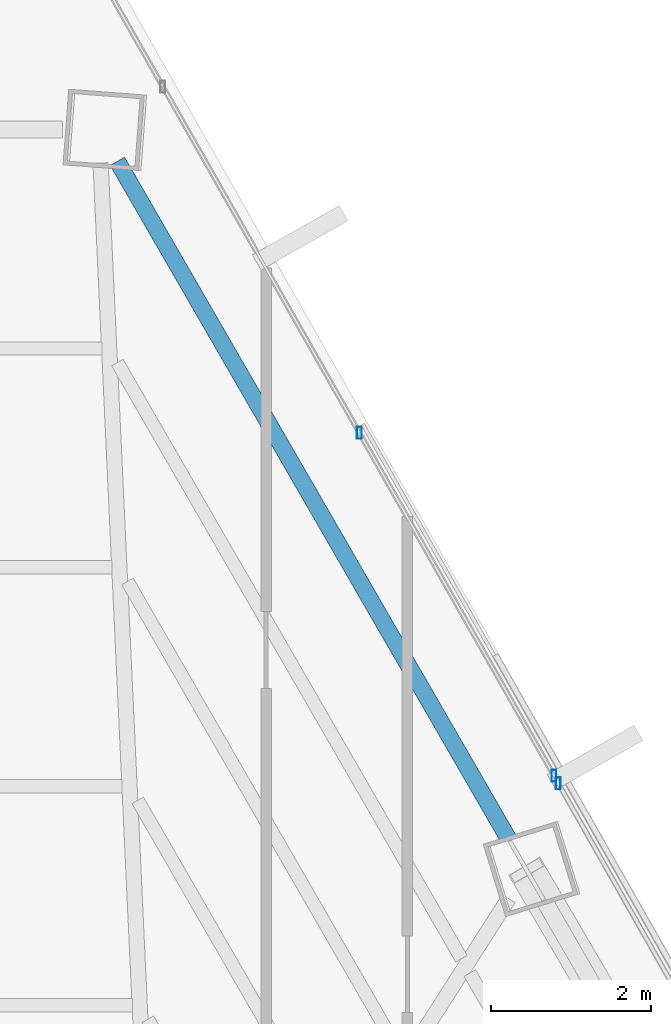
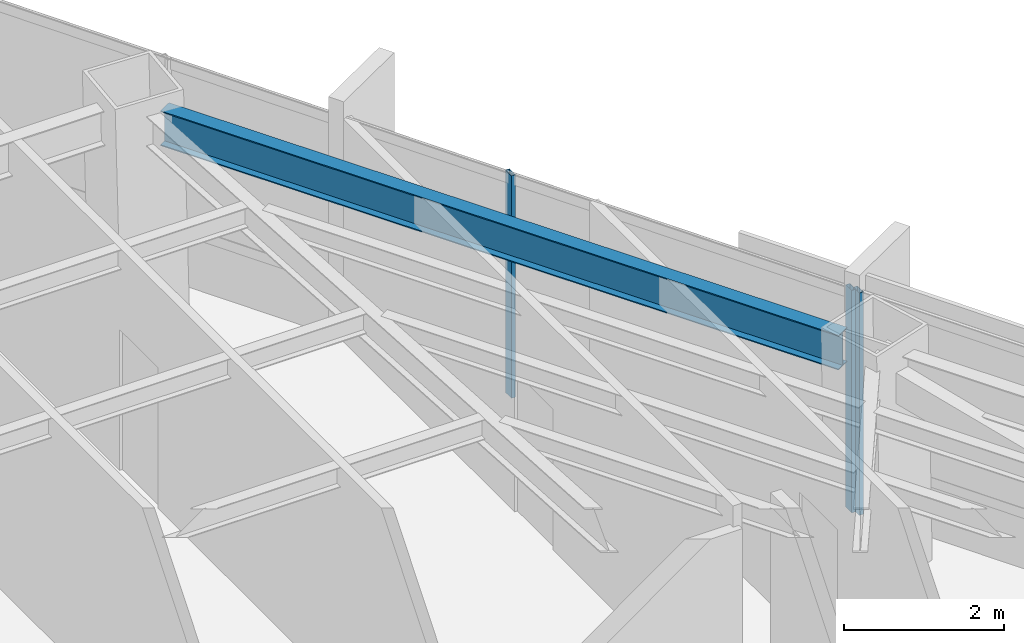
# One storey, part 32 of 42: 3 members, 1 beam, 2 elements without a shape of their own.
"""IFC4 building model written with IfcOpenShell, lengths in metres."""

from ifc_helpers import new_model, si_unit, direction, frame, origin, origin_2d, place, context, subcontext, project, spatial, hollow_rectangle, i_section, extrude, source, transform, mapped, material, material_profile, profile_set, type_object, type_shapes, element, aggregate, save


model = new_model("IFC4")

# Units and contexts
model_context = context("Model", 3, precision=1e-05, world=origin(), true_north=direction((0.0, 1.0)))
body_context = subcontext(model_context, "Body", "Model", "MODEL_VIEW")
ifc_project = project(units=[si_unit("LENGTHUNIT", "METRE"), si_unit("AREAUNIT", "SQUARE_METRE"), si_unit("VOLUMEUNIT", "CUBIC_METRE"), si_unit("PLANEANGLEUNIT", "RADIAN"), si_unit("MASSUNIT", "GRAM", prefix="KILO")], contexts=[model_context])

# Site, building, storey
site_placement = place(None, origin())
site = spatial("IfcSite", under=ifc_project, at=site_placement, CompositionType="ELEMENT")
building_placement = place(site_placement, origin())
building = spatial("IfcBuilding", under=site, at=building_placement, Name="Caelisora Broadcast Tower", CompositionType="ELEMENT")
storey_placement = place(building_placement, frame((0.0, 0.0, 131.800048828125)))
storey = spatial("IfcBuildingStorey", under=building, at=storey_placement, Name="L34", CompositionType="ELEMENT", Elevation=131.800048828125)

# Beam
ifc_material_1 = material(Name="Steel Grade 350 (AS/NZS 3679.1)", Category="steel")
ifc_material_profile_1 = material_profile(ifc_material_1, i_section(OverallWidth=0.208984375, OverallDepth=0.532958984375, WebThickness=0.01025390625, FlangeThickness=0.015625, at=origin_2d()), Name="Steel Grade 350 (AS/NZS 3679.1)")
ifc_profile_set_1 = profile_set([ifc_material_profile_1], Name="Steel Grade 350 (AS/NZS 3679.1)")
beam_type = type_object("IfcBeamType", Name="PG05", PredefinedType="BEAM", material=ifc_profile_set_1)
shared_shape_1 = source(origin(), body_context, "Body", "SweptSolid", [
    extrude(i_section(OverallWidth=0.208984375, OverallDepth=0.532958984375, WebThickness=0.01025390625, FlangeThickness=0.015625, at=origin_2d()), origin(), (0.0, 0.0, 1.0), 9.803466796875),
])
type_shapes(beam_type, [shared_shape_1])
beam_placement = place(storey_placement, frame((49.86669921875, 37.573486328125, 3.133544921875), z_axis=(-0.499993357938, 0.866029238547, 0.0), x_axis=(-0.866029238547, -0.499993357938, 0.0)))
element("IfcBeam", 1, at=beam_placement, inside=storey, type_object=beam_type, Name="L34 beam PG05", PredefinedType="BEAM", context=body_context, shape_type="MappedRepresentation", body=[
    mapped(shared_shape_1, transform((0.0, 0.0, 0.0), scale=1.0)),
])

# Curtain wall, members
ifc_material_2 = material(Name="Unitised Aluminium and Low-E Glass Curtain Wall", Category="glass")
curtain_wall_type_1 = type_object("IfcCurtainWallType", Name="CW-Z3", PredefinedType="NOTDEFINED", material=ifc_material_2)
curtain_wall_1_placement = place(storey_placement, origin())
curtain_wall_1 = element("IfcCurtainWall", 2, at=curtain_wall_1_placement, inside=storey, type_object=curtain_wall_type_1, Name="L34 curtain wall CW-Z3", PredefinedType="NOTDEFINED")
ifc_material_3 = material(Name="Aluminium 6063-T6 Anodised Terracotta Bronze", Category="aluminium")
ifc_material_profile_2 = material_profile(ifc_material_3, hollow_rectangle(XDim=0.06005859375, YDim=0.14990234375, WallThickness=0.00341796875, at=origin_2d()), Name="Aluminium 6063-T6 Anodised Terracotta Bronze")
ifc_profile_set_2 = profile_set([ifc_material_profile_2], Name="Aluminium 6063-T6 Anodised Terracotta Bronze")
member_type = type_object("IfcMemberType", Name="CWM-03", PredefinedType="MULLION", material=ifc_profile_set_2)
shared_shape_2 = source(origin(), body_context, "Body", "SweptSolid", [
    extrude(hollow_rectangle(XDim=0.06005859375, YDim=0.14990234375, WallThickness=0.00341796875, at=origin_2d()), origin(), (0.0, 0.0, 1.0), 3.39990234375),
])
type_shapes(member_type, [shared_shape_2])
member_1_placement = place(storey_placement, frame((47.998779296875, 42.65966796875, 0.0), z_axis=(0.0, 0.0, 1.0), x_axis=(1.0, 0.0, 0.0)))
member_1 = element("IfcMember", 3, at=member_1_placement, type_object=member_type, Name="L34-CW-B01 mullion #2", PredefinedType="MULLION", context=body_context, shape_type="MappedRepresentation", body=[
    mapped(shared_shape_2, transform((0.0, 0.0, 0.0), scale=1.0)),
])
member_2_placement = place(storey_placement, frame((50.43798828125, 38.362548828125, 0.0), z_axis=(0.0, 0.0, 1.0), x_axis=(1.0, 0.0, 0.0)))
member_2 = element("IfcMember", 4, at=member_2_placement, type_object=member_type, Name="L34-CW-B01 mullion #3", PredefinedType="MULLION", context=body_context, shape_type="MappedRepresentation", body=[
    mapped(shared_shape_2, transform((0.0, 0.0, 0.0), scale=1.0)),
])
aggregate(curtain_wall_1, [member_1, member_2])

# Curtain wall, member
ifc_material_4 = material(Name="Unitised Aluminium Insulated Shadow-Box Spandrel Curtain Wall", Category="aluminium")
curtain_wall_type_2 = type_object("IfcCurtainWallType", Name="CW-SP2", PredefinedType="NOTDEFINED", material=ifc_material_4)
curtain_wall_2_placement = place(storey_placement, origin())
curtain_wall_2 = element("IfcCurtainWall", 5, at=curtain_wall_2_placement, inside=storey, type_object=curtain_wall_type_2, Name="L34 curtain wall CW-SP2", PredefinedType="NOTDEFINED")
member_3_placement = place(storey_placement, frame((50.4921875, 38.266845703125, 0.0), z_axis=(0.0, 0.0, 1.0), x_axis=(1.0, 0.0, 0.0)))
member_3 = element("IfcMember", 6, at=member_3_placement, type_object=member_type, Name="L34-CW-B02 mullion #0", PredefinedType="MULLION", context=body_context, shape_type="MappedRepresentation", body=[
    mapped(shared_shape_2, transform((0.0, 0.0, 0.0), scale=1.0)),
])
aggregate(curtain_wall_2, [member_3])

save(model, "model.ifc")
